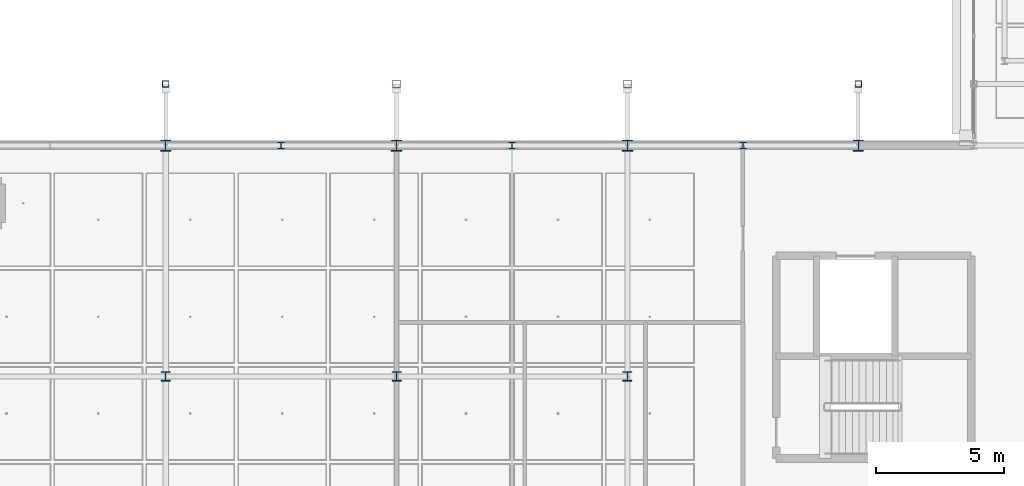
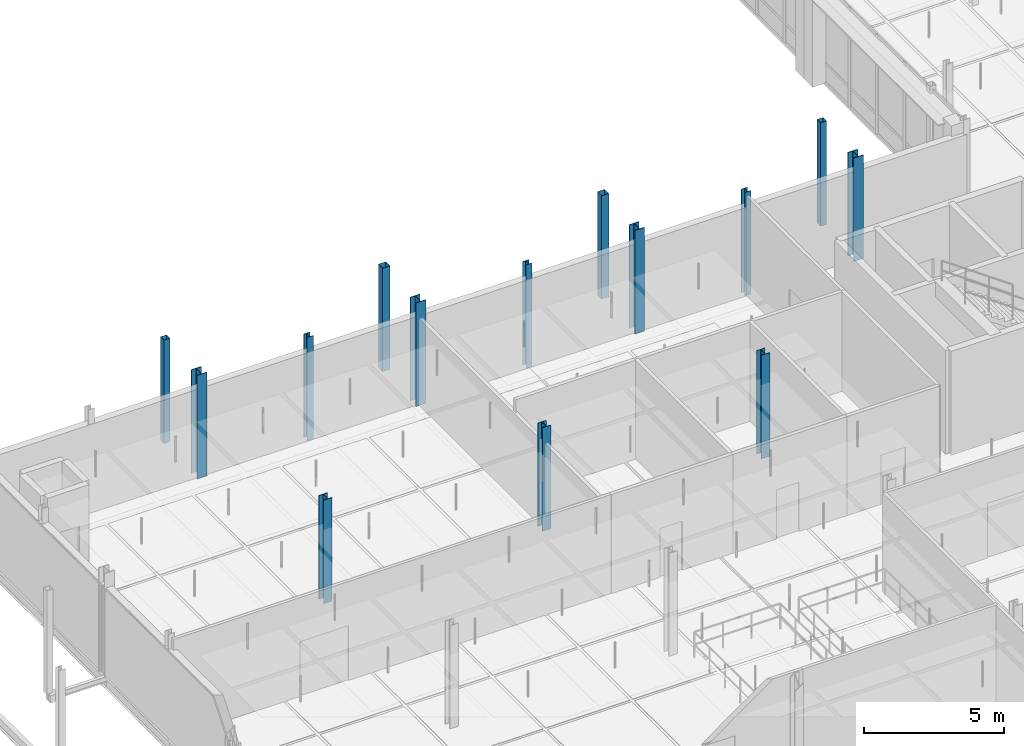
# One storey, part 10 of 130: 14 columns.
"""IFC4 building model written with IfcOpenShell, lengths in metres."""

from ifc_helpers import new_model, si_unit, direction, frame, origin, origin_2d, place, context, subcontext, project, spatial, hollow_rectangle, i_section, extrude, material, material_profile, profile_set, type_object, element, save


model = new_model("IFC4")

# Units and contexts
model_context = context("Model", 3, precision=1e-05, world=origin(), true_north=direction((0.0, 1.0)))
body_context = subcontext(model_context, "Body", "Model", "MODEL_VIEW")
ifc_project = project(units=[si_unit("LENGTHUNIT", "METRE"), si_unit("AREAUNIT", "SQUARE_METRE"), si_unit("VOLUMEUNIT", "CUBIC_METRE"), si_unit("PLANEANGLEUNIT", "RADIAN"), si_unit("MASSUNIT", "GRAM", prefix="KILO"), si_unit("THERMODYNAMICTEMPERATUREUNIT", "KELVIN"), si_unit("POWERUNIT", "WATT")], contexts=[model_context])

# Site, building, storey
site_placement = place(None, origin())
site = spatial("IfcSite", under=ifc_project, at=site_placement, CompositionType="ELEMENT")
building_placement = place(site_placement, origin())
building = spatial("IfcBuilding", under=site, at=building_placement, Name="Tallowbark Science Centre", CompositionType="ELEMENT")
storey_placement = place(building_placement, frame((0.0, 0.0, 5.39990234375)))
storey = spatial("IfcBuildingStorey", under=building, at=storey_placement, Name="L01", CompositionType="ELEMENT", Elevation=5.39990234375)

# Columns
ifc_material_1 = material(Name="White Architectural Painted Steel Grade C350L0 (350 MPa)", Category="steel")
ifc_material_profile_1 = material_profile(ifc_material_1, hollow_rectangle(XDim=0.25, YDim=0.25, WallThickness=0.009033203125, at=origin_2d()), Name="250x250x9.0SHS")
ifc_profile_set_1 = profile_set([ifc_material_profile_1], Name="White Architectural Painted Steel Grade C350L0 (350 MPa)")
column_type_1 = type_object("IfcColumnType", Name="COL-SCR200", PredefinedType="COLUMN", material=ifc_profile_set_1)
for number, where, z_axis, x_axis, name in (
    (1, (67.5, 42.89990234375, 0.0), (0.0, 0.0, 1.0), (1.0, 0.0, 0.0), "Column SCR-N02 L01"),
    (2, (94.5, 42.89990234375, 0.0), (0.0, 0.0, 1.0), (1.0, 0.0, 0.0), "Column SCR-N05 L01"),
):
    element("IfcColumn", number, at=place(storey_placement, frame(where, z_axis=z_axis, x_axis=x_axis)), inside=storey, type_object=column_type_1, Name=name, PredefinedType="COLUMN", context=body_context, shape_type="SweptSolid", body=[
        extrude(hollow_rectangle(XDim=0.25, YDim=0.25, WallThickness=0.009033203125, at=origin_2d()), origin(), (0.0, 0.0, 1.0), 4.5),
    ])
ifc_material_profile_2 = material_profile(ifc_material_1, hollow_rectangle(XDim=0.300048828125, YDim=0.300048828125, WallThickness=0.010009765625, at=origin_2d()), Name="300x300x10.0SHS")
ifc_profile_set_2 = profile_set([ifc_material_profile_2], Name="White Architectural Painted Steel Grade C350L0 (350 MPa)")
column_type_2 = type_object("IfcColumnType", Name="COL-SCR300", PredefinedType="COLUMN", material=ifc_profile_set_2)
for number, where, z_axis, x_axis, name in (
    (3, (76.5, 42.89990234375, 0.0), (0.0, 0.0, 1.0), (1.0, 0.0, 0.0), "Column SCR-N03 L01"),
    (4, (85.5, 42.89990234375, 0.0), (0.0, 0.0, 1.0), (1.0, 0.0, 0.0), "Column SCR-N04 L01"),
):
    element("IfcColumn", number, at=place(storey_placement, frame(where, z_axis=z_axis, x_axis=x_axis)), inside=storey, type_object=column_type_2, Name=name, PredefinedType="COLUMN", context=body_context, shape_type="SweptSolid", body=[
        extrude(hollow_rectangle(XDim=0.300048828125, YDim=0.300048828125, WallThickness=0.010009765625, at=origin_2d()), origin(), (0.0, 0.0, 1.0), 4.5),
    ])
ifc_material_2 = material(Name="Structural Steel Grade 300PLUS (300 MPa)", Category="steel")
ifc_material_profile_3 = material_profile(ifc_material_2, i_section(OverallWidth=0.35009765625, OverallDepth=0.35888671875, WebThickness=0.01611328125, FlangeThickness=0.02392578125, FilletRadius=0.013916015625, at=origin_2d()), Name="350WC197")
ifc_profile_set_3 = profile_set([ifc_material_profile_3], Name="Structural Steel Grade 300PLUS (300 MPa)")
column_type_3 = type_object("IfcColumnType", Name="COL-WC350", PredefinedType="COLUMN", material=ifc_profile_set_3)
for number, where, z_axis, x_axis, name in (
    (5, (67.5, 31.5, 0.0), (0.0, 0.0, 1.0), (1.0, 0.0, 0.0), "Column CUB-M1_3 L01"),
    (6, (76.5, 31.5, 0.0), (0.0, 0.0, 1.0), (1.0, 0.0, 0.0), "Column CUB-M2_3 L01"),
    (7, (85.5, 31.5, 0.0), (0.0, 0.0, 1.0), (1.0, 0.0, 0.0), "Column CUB-M3_3 L01"),
):
    element("IfcColumn", number, at=place(storey_placement, frame(where, z_axis=z_axis, x_axis=x_axis)), inside=storey, type_object=column_type_3, Name=name, PredefinedType="COLUMN", context=body_context, shape_type="SweptSolid", body=[
        extrude(i_section(OverallWidth=0.35009765625, OverallDepth=0.35888671875, WebThickness=0.01611328125, FlangeThickness=0.02392578125, FilletRadius=0.013916015625, at=origin_2d()), origin(), (0.0, 0.0, 1.0), 4.5),
    ])
ifc_material_profile_4 = material_profile(ifc_material_2, i_section(OverallWidth=0.39990234375, OverallDepth=0.427978515625, WebThickness=0.02001953125, FlangeThickness=0.028076171875, FilletRadius=0.01611328125, at=origin_2d()), Name="400WC270")
ifc_profile_set_4 = profile_set([ifc_material_profile_4], Name="Structural Steel Grade 300PLUS (300 MPa)")
column_type_4 = type_object("IfcColumnType", Name="COL-WC400", PredefinedType="COLUMN", material=ifc_profile_set_4)
for number, where, z_axis, x_axis, name in (
    (8, (67.5, 40.5, 0.0), (0.0, 0.0, 1.0), (1.0, 0.0, 0.0), "Column CUB-M1_4 L01"),
    (9, (76.5, 40.5, 0.0), (0.0, 0.0, 1.0), (1.0, 0.0, 0.0), "Column CUB-M2_4 L01"),
    (10, (85.5, 40.5, 0.0), (0.0, 0.0, 1.0), (1.0, 0.0, 0.0), "Column CUB-M3_4 L01"),
    (11, (94.5, 40.5, 0.0), (0.0, 0.0, 1.0), (1.0, 0.0, 0.0), "Column CUB-M4_4 L01"),
):
    element("IfcColumn", number, at=place(storey_placement, frame(where, z_axis=z_axis, x_axis=x_axis)), inside=storey, type_object=column_type_4, Name=name, PredefinedType="COLUMN", context=body_context, shape_type="SweptSolid", body=[
        extrude(i_section(OverallWidth=0.39990234375, OverallDepth=0.427978515625, WebThickness=0.02001953125, FlangeThickness=0.028076171875, FilletRadius=0.01611328125, at=origin_2d()), origin(), (0.0, 0.0, 1.0), 4.5),
    ])
ifc_material_profile_5 = material_profile(ifc_material_2, i_section(OverallWidth=0.256103515625, OverallDepth=0.260009765625, WebThickness=0.010498046875, FlangeThickness=0.017333984375, FilletRadius=0.013916015625, at=origin_2d()), Name="250UC89.5")
ifc_profile_set_5 = profile_set([ifc_material_profile_5], Name="Structural Steel Grade 300PLUS (300 MPa)")
column_type_5 = type_object("IfcColumnType", Name="PIL-UC250", PredefinedType="PILASTER", material=ifc_profile_set_5)
for number, where, z_axis, x_axis, name in (
    (12, (72.0, 40.5, 0.0), (0.0, 0.0, 1.0), (1.0, 0.0, 0.0), "Column CUB-PN-1 L01"),
    (13, (81.0, 40.5, 0.0), (0.0, 0.0, 1.0), (1.0, 0.0, 0.0), "Column CUB-PN-2 L01"),
    (14, (90.0, 40.5, 0.0), (0.0, 0.0, 1.0), (1.0, 0.0, 0.0), "Column CUB-PN-3 L01"),
):
    element("IfcColumn", number, at=place(storey_placement, frame(where, z_axis=z_axis, x_axis=x_axis)), inside=storey, type_object=column_type_5, Name=name, PredefinedType="PILASTER", context=body_context, shape_type="SweptSolid", body=[
        extrude(i_section(OverallWidth=0.256103515625, OverallDepth=0.260009765625, WebThickness=0.010498046875, FlangeThickness=0.017333984375, FilletRadius=0.013916015625, at=origin_2d()), origin(), (0.0, 0.0, 1.0), 4.5),
    ])

save(model, "model.ifc")
